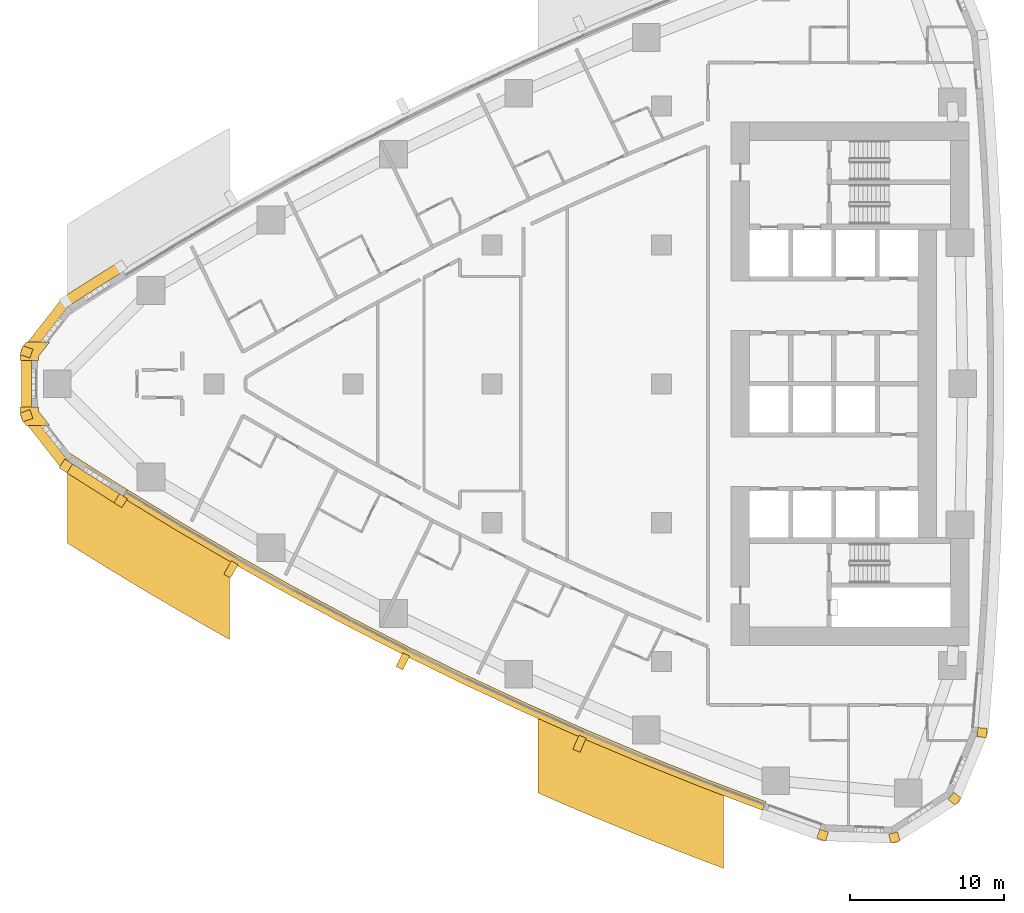
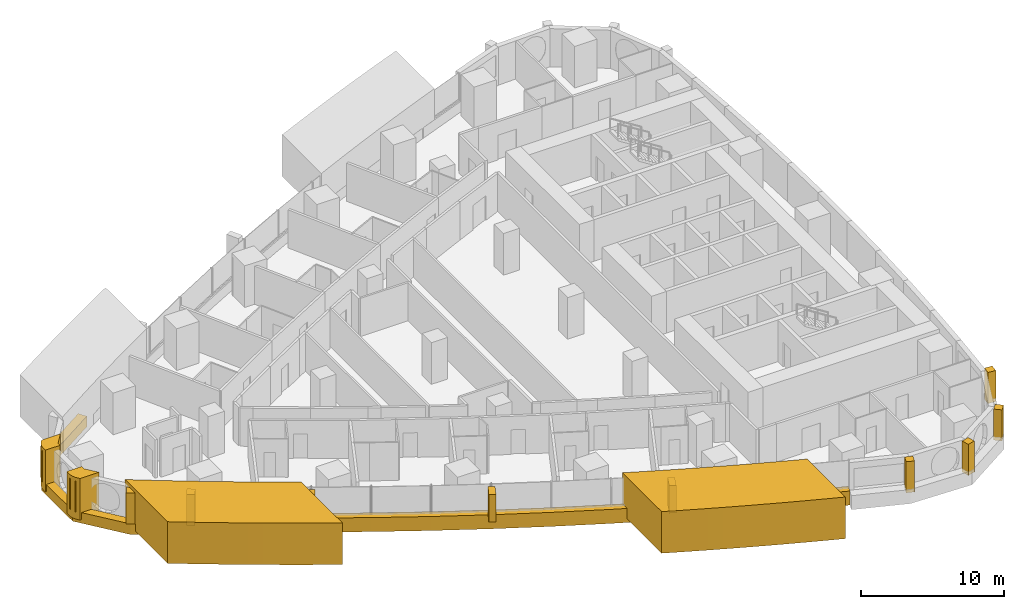
# One storey, part 15 of 19: 17 coverings.
"""IFC4 building model written with IfcOpenShell, lengths in metres."""

import ifcopenshell
import ifcopenshell.guid

model = None  # the IFC model being written
_history = None  # IfcOwnerHistory: only IFC2X3 demands one
_inside = {}  # id of a spatial element -> (the spatial element, [elements in it])
_under = {}  # id of a project, library or spatial element -> (it, [spatial elements below it])
_declared = {}  # id of a project -> (the project, [libraries it declares])
_typed = {}  # id of a type object -> (the type object, [elements of that type])
_made_of = {}  # id of a material, layer set ... -> (it, [elements and type objects made of it])


def new_model(schema):
    """Start an empty IFC model of exactly this schema.

    Asked for "IFC4X3", IfcOpenShell would pick the latest addendum, in which some entities
    have other attributes; the version numbers below select the first issue.
    IFC2X3 requires an IfcOwnerHistory on every rooted entity: one is made here for all.
    """
    global model, _history
    if schema == "IFC4X3":
        model = ifcopenshell.file(schema_version=(4, 3, 0, 0))
    else:
        model = ifcopenshell.file(schema=schema)
    _inside.clear()
    _under.clear()
    _declared.clear()
    _typed.clear()
    _made_of.clear()
    _history = None
    if model.schema == "IFC2X3":
        org = make("IfcOrganization", Name="unknown")
        user = make(
            "IfcPersonAndOrganization",
            ThePerson=make("IfcPerson", FamilyName="unknown"),
            TheOrganization=org,
        )
        app = make(
            "IfcApplication",
            ApplicationDeveloper=org,
            Version="unknown",
            ApplicationFullName="unknown",
            ApplicationIdentifier="unknown",
        )
        _history = make(
            "IfcOwnerHistory",
            OwningUser=user,
            OwningApplication=app,
            ChangeAction="ADDED",
            CreationDate=0,
        )
    return model


def make(cls, **values):
    """One entity of the class cls with the attributes given. An attribute that is None is left unset."""
    return model.create_entity(
        cls, **{name: value for name, value in values.items() if value is not None}
    )


def rooted(cls, **values):
    """An entity with a GlobalId (a new one), such as an element, a storey or a relation."""
    return make(cls, GlobalId=ifcopenshell.guid.new(), OwnerHistory=_history, **values)


def si_unit(unit_type, name, prefix=None):
    """IfcSIUnit, for example si_unit("LENGTHUNIT", "METRE", prefix="MILLI")."""
    return make("IfcSIUnit", UnitType=unit_type, Prefix=prefix, Name=name)


def assignment(units):
    """IfcUnitAssignment: the units of a project."""
    return None if units is None else make("IfcUnitAssignment", Units=units)


def point(xyz):
    """IfcCartesianPoint."""
    return None if xyz is None else make("IfcCartesianPoint", Coordinates=xyz)


def direction(xyz):
    """IfcDirection."""
    return None if xyz is None else make("IfcDirection", DirectionRatios=xyz)


def frame(location, z_axis=None, x_axis=None):
    """IfcAxis2Placement3D, a coordinate frame: its origin and axes. An axis left out is left unset."""
    return make(
        "IfcAxis2Placement3D",
        Location=point(location),
        Axis=direction(z_axis),
        RefDirection=direction(x_axis),
    )


def frame_2d(location, x_axis=None):
    """IfcAxis2Placement2D, a coordinate frame in the plane: its origin and x axis."""
    return make(
        "IfcAxis2Placement2D", Location=point(location), RefDirection=direction(x_axis)
    )


def origin():
    """The frame at (0, 0, 0) with its axes left unset."""
    return frame((0.0, 0.0, 0.0))


def place(relative_to, where):
    """IfcLocalPlacement: puts the frame where relative to a parent placement (None: the world)."""
    return make(
        "IfcLocalPlacement", PlacementRelTo=relative_to, RelativePlacement=where
    )


def context(
    kind, dimensions, precision=None, world=None, true_north=None, identifier=None
):
    """IfcGeometricRepresentationContext, for example the 3D "Model" context."""
    return make(
        "IfcGeometricRepresentationContext",
        ContextIdentifier=identifier,
        ContextType=kind,
        CoordinateSpaceDimension=dimensions,
        Precision=precision,
        WorldCoordinateSystem=world,
        TrueNorth=true_north,
    )


def subcontext(parent, identifier, kind, view, scale=None):
    """IfcGeometricRepresentationSubContext, for example "Body" below "Model"."""
    return make(
        "IfcGeometricRepresentationSubContext",
        ContextIdentifier=identifier,
        ContextType=kind,
        ParentContext=parent,
        TargetScale=scale,
        TargetView=view,
    )


def project(units=None, contexts=None):
    """IfcProject with its units and contexts."""
    return rooted(
        "IfcProject",
        Name="project",
        RepresentationContexts=contexts,
        UnitsInContext=assignment(units),
    )


def spatial(cls, under=None, at=None, **own):
    """A site, building, storey or space (cls), placed at a placement, below another one or the project."""
    s = rooted(cls, ObjectPlacement=at, **own)
    if under is not None:
        _under.setdefault(under.id(), (under, []))[1].append(s)
    return s


def polyline(points):
    """IfcPolyline through the points."""
    return make("IfcPolyline", Points=[point(p) for p in points])


def profile(cls, at=None, kind="AREA", **sizes):
    """A parametric profile (cls). Its sizes go by their IFC names, for example OverallWidth=200.0."""
    return make(cls, ProfileType=kind, Position=at, **sizes)


def rectangle(**sizes):
    """IfcRectangleProfileDef."""
    return profile("IfcRectangleProfileDef", **sizes)


def outline(outer, holes=None, kind="AREA"):
    """IfcArbitraryClosedProfileDef: a profile drawn as a closed curve; with holes, ...WithVoids."""
    if holes is None:
        return make("IfcArbitraryClosedProfileDef", ProfileType=kind, OuterCurve=outer)
    return make(
        "IfcArbitraryProfileDefWithVoids",
        ProfileType=kind,
        OuterCurve=outer,
        InnerCurves=holes,
    )


def extrude(swept, where, along, depth):
    """IfcExtrudedAreaSolid: the profile swept, set in the frame where, extruded along a direction by depth."""
    return make(
        "IfcExtrudedAreaSolid",
        SweptArea=swept,
        Position=where,
        ExtrudedDirection=direction(along),
        Depth=depth,
    )


def shape(context_of_items, identifier, shape_type, items):
    """IfcShapeRepresentation: the items that make up one representation, for example the "Body"."""
    return make(
        "IfcShapeRepresentation",
        ContextOfItems=context_of_items,
        RepresentationIdentifier=identifier,
        RepresentationType=shape_type,
        Items=items,
    )


def material(Name=None, Category=None):
    """IfcMaterial."""
    return make("IfcMaterial", Name=Name, Category=Category)


def layer(
    of_material, thickness, ventilated=None, Name=None, Category=None, Priority=None
):
    """IfcMaterialLayer: one layer of a wall or slab, of a material (None: an air gap)."""
    return make(
        "IfcMaterialLayer",
        Material=of_material,
        LayerThickness=thickness,
        IsVentilated=ventilated,
        Name=Name,
        Category=Category,
        Priority=Priority,
    )


def layer_set(layers, Name=None):
    """IfcMaterialLayerSet."""
    return make("IfcMaterialLayerSet", MaterialLayers=layers, LayerSetName=Name)


def made_of(thing, what):
    """Note that an element or type object is made of a material, layer set ...; save() writes the relation."""
    if what is not None:
        _made_of.setdefault(what.id(), (what, []))[1].append(thing)
    return thing


def type_object(cls, material=None, **own):
    """A type object (cls), such as IfcWallType, which elements share."""
    return made_of(rooted(cls, **own), material)


def element(
    cls,
    number,
    at=None,
    inside=None,
    cuts=None,
    type_object=None,
    material=None,
    context=None,
    identifier="Body",
    shape_type=None,
    held_by="IfcProductDefinitionShape",
    body=None,
    shapes=None,
    **own,
):
    """One element of the class cls, such as IfcWall. Its Tag is "e" and its number.

    at: its placement. inside: the storey or other place that contains it. cuts: it is an
    opening in that element (IfcRelVoidsElement). A single representation is given by context,
    identifier, shape_type and body (its items); several are given by shapes. held_by: the class
    of the entity that holds the representations. save() writes the other relations.
    """
    e = rooted(cls, Tag="e%d" % number, ObjectPlacement=at, **own)
    if body is not None:
        shapes = [shape(context, identifier, shape_type, body)]
    if shapes is not None:
        e.Representation = make(held_by, Representations=shapes)
    if inside is not None:
        _inside.setdefault(inside.id(), (inside, []))[1].append(e)
    if cuts is not None:
        rooted(
            "IfcRelVoidsElement", RelatingBuildingElement=cuts, RelatedOpeningElement=e
        )
    if type_object is not None:
        _typed.setdefault(type_object.id(), (type_object, []))[1].append(e)
    return made_of(e, material)


def aggregate(whole, parts):
    """IfcRelAggregates: a whole, such as a stair, and the parts it consists of."""
    return rooted("IfcRelAggregates", RelatingObject=whole, RelatedObjects=parts)


def save(model, path):
    """Write the relations noted so far, then the file.

    IfcRelAggregates (storeys below a building ...), IfcRelContainedInSpatialStructure (elements
    in a storey), IfcRelDefinesByType, IfcRelAssociatesMaterial and IfcRelDeclares: one each for
    every whole, place, type object, material and project.
    """
    for whole, parts in _under.values():
        aggregate(whole, parts)
    for where, things in _inside.values():
        rooted(
            "IfcRelContainedInSpatialStructure",
            RelatedElements=things,
            RelatingStructure=where,
        )
    for kind, things in _typed.values():
        rooted("IfcRelDefinesByType", RelatedObjects=things, RelatingType=kind)
    for what, things in _made_of.values():
        rooted("IfcRelAssociatesMaterial", RelatedObjects=things, RelatingMaterial=what)
    for by, libraries in _declared.values():
        rooted("IfcRelDeclares", RelatingContext=by, RelatedDefinitions=libraries)
    model.write(path)


model = new_model("IFC4")

# Units and contexts
model_context = context("Model", 3, precision=1e-05, world=origin(), true_north=direction((0.0, 1.0)))
body_context = subcontext(model_context, "Body", "Model", "MODEL_VIEW")
ifc_project = project(units=[si_unit("LENGTHUNIT", "METRE"), si_unit("AREAUNIT", "SQUARE_METRE"), si_unit("VOLUMEUNIT", "CUBIC_METRE"), si_unit("PLANEANGLEUNIT", "RADIAN"), si_unit("MASSUNIT", "GRAM", prefix="KILO")], contexts=[model_context])

# Site, building, storey
site_placement = place(None, origin())
site = spatial("IfcSite", under=ifc_project, at=site_placement, CompositionType="ELEMENT")
building_placement = place(site_placement, origin())
building = spatial("IfcBuilding", under=site, at=building_placement, Name="Ostrand Prow Hotel Tower", CompositionType="ELEMENT")
storey_placement = place(building_placement, frame((0.0, 0.0, 68.0)))
storey = spatial("IfcBuildingStorey", under=building, at=storey_placement, Name="L15", CompositionType="ELEMENT", Elevation=68.0)

# Coverings
ifc_material_1 = material(Name="Bronze anodised aluminium cladding", Category="aluminium")
ifc_layer_1 = layer(ifc_material_1, 0.60009765625)
ifc_layer_set_1 = layer_set([ifc_layer_1], Name="Bronze anodised aluminium cladding")
covering_type_1 = type_object("IfcCoveringType", Name="Bronze prow band 899x600", PredefinedType="CLADDING", material=ifc_layer_set_1)
covering_1_placement = place(storey_placement, frame((0.0, 0.0, -0.300048828125)))
element("IfcCovering", 1, at=covering_1_placement, inside=storey, type_object=covering_type_1, Name="Bronze prow band", PredefinedType="CLADDING", context=body_context, shape_type="SweptSolid", body=[
    extrude(outline(polyline([(9.77734375, 7.864013671875), (6.2197265625, 5.6083984375), (3.53369140625, 2.178466796875), (3.53369140625, -2.178466796875), (6.2197265625, -5.6083984375), (9.77734375, -7.864013671875), (10.13623046875, -7.286376953125), (6.589111328125, -5.03759765625), (4.176513671875, -1.95654296875), (4.176513671875, 1.95654296875), (6.589111328125, 5.03759765625), (10.13623046875, 7.286376953125), (9.77734375, 7.864013671875)])), origin(), (0.0, 0.0, 1.0), 0.900146484375),
])
ifc_material_2 = material(Name="Bronze anodised aluminium cladding", Category="aluminium")
ifc_layer_2 = layer(ifc_material_2, 0.60009765625)
ifc_layer_set_2 = layer_set([ifc_layer_2], Name="Bronze anodised aluminium cladding")
covering_type_2 = type_object("IfcCoveringType", Name="Bronze spandrel band 1200x600", PredefinedType="CLADDING", material=ifc_layer_set_2)
covering_2_placement = place(storey_placement, frame((0.0, 0.0, -0.300048828125)))
element("IfcCovering", 2, at=covering_2_placement, inside=storey, type_object=covering_type_2, Name="Spandrel band S1", PredefinedType="CLADDING", context=body_context, shape_type="SweptSolid", body=[
    extrude(outline(polyline([(10.08349609375, -7.371337890625), (13.672607421875, -9.555419921875), (17.301513671875, -11.673095703125), (20.968994140625, -13.723876953125), (24.673095703125, -15.70654296875), (28.413330078125, -17.62060546875), (32.188232421875, -19.4658203125), (35.996337890625, -21.2412109375), (39.83642578125, -22.946044921875), (43.70751953125, -24.580078125), (47.607666015625, -26.142578125), (51.5361328125, -27.6328125), (51.743896484375, -27.070068359375), (47.82568359375, -25.58349609375), (43.935791015625, -24.025146484375), (40.074951171875, -22.3955078125), (36.244873046875, -20.695068359375), (32.44677734375, -18.92431640625), (28.681884765625, -17.083984375), (24.951416015625, -15.1748046875), (21.2568359375, -13.197509765625), (17.59912109375, -11.152099609375), (13.97998046875, -9.0400390625), (10.39990234375, -6.86181640625), (10.08349609375, -7.371337890625)])), origin(), (0.0, 0.0, 1.0), 1.199951171875),
])
ifc_material_3 = material(Name="Limestone cladding", Category="masonry")
ifc_layer_3 = layer(ifc_material_3, 5.0)
ifc_layer_set_3 = layer_set([ifc_layer_3], Name="Limestone cladding")
covering_type_3 = type_object("IfcCoveringType", Name="Portal jamb pilaster limestone", PredefinedType="CLADDING", material=ifc_layer_set_3)
covering_3_placement = place(storey_placement, origin())
element("IfcCovering", 3, at=covering_3_placement, inside=storey, type_object=covering_type_3, Name="Portal jamb SA L15", PredefinedType="CLADDING", context=body_context, shape_type="SweptSolid", body=[
    extrude(outline(polyline([(6.5, -4.3837890625), (6.5, -10.319580078125), (7.45458984375, -10.917724609375), (8.4091796875, -11.509521484375), (9.363525390625, -12.09521484375), (10.318115234375, -12.67431640625), (11.272705078125, -13.247314453125), (12.227294921875, -13.81396484375), (13.181884765625, -14.37451171875), (14.136474609375, -14.92919921875), (15.0908203125, -15.4775390625), (16.04541015625, -16.020263671875), (17.0, -16.556640625), (17.0, -10.80859375), (16.04541015625, -10.25634765625), (15.0908203125, -9.697998046875), (14.136474609375, -9.13330078125), (13.181884765625, -8.562255859375), (12.227294921875, -7.98486328125), (11.272705078125, -7.401123046875), (10.318115234375, -6.810791015625), (9.363525390625, -6.214111328125), (8.4091796875, -5.610595703125), (7.45458984375, -5.00048828125), (6.5, -4.3837890625)])), origin(), (0.0, 0.0, 1.0), 3.550048828125),
])
covering_4_placement = place(storey_placement, origin())
element("IfcCovering", 4, at=covering_4_placement, inside=storey, type_object=covering_type_3, Name="Portal jamb SB L15", PredefinedType="CLADDING", context=body_context, shape_type="SweptSolid", body=[
    extrude(outline(polyline([(37.0, -21.037109375), (37.0, -26.50927734375), (38.0, -26.945556640625), (39.0, -27.376220703125), (40.0, -27.801513671875), (41.0, -28.22119140625), (42.0, -28.635498046875), (43.0, -29.044189453125), (44.0, -29.447509765625), (45.0, -29.845703125), (46.0, -30.23828125), (47.0, -30.62548828125), (48.0, -31.0078125), (49.0, -31.384521484375), (49.0, -26.03759765625), (48.0, -25.6513671875), (47.0, -25.259765625), (46.0, -24.862548828125), (45.0, -24.459716796875), (44.0, -24.051513671875), (43.0, -23.637939453125), (42.0, -23.218505859375), (41.0, -22.793701171875), (40.0, -22.363037109375), (39.0, -21.9267578125), (38.0, -21.484619140625), (37.0, -21.037109375)])), origin(), (0.0, 0.0, 1.0), 3.550048828125),
])
ifc_material_4 = material(Name="Limestone cladding", Category="masonry")
ifc_layer_4 = layer(ifc_material_4, 0.5)
ifc_layer_set_4 = layer_set([ifc_layer_4], Name="Limestone cladding")
covering_type_4 = type_object("IfcCoveringType", Name="Precast stone fin 500x900", PredefinedType="CLADDING", material=ifc_layer_set_4)
for number, where, z_axis, x_axis, name in (
    (5, (17.351318359375, -11.58642578125, 0.89990234375), (0.0, 0.0, 1.0), (-0.496138938357, -0.868243142124, 0.0), "Stone fin S 3"),
    (6, (28.458251953125, -17.53125, 0.89990234375), (0.0, 0.0, 1.0), (-0.447506538147, -0.894280659701, 0.0), "Stone fin S 6"),
    (7, (39.876220703125, -22.854248046875, 0.89990234375), (0.0, 0.0, 1.0), (-0.397216867903, -0.917724773477, 0.0), "Stone fin S 9"),
):
    element("IfcCovering", number, at=place(storey_placement, frame(where, z_axis=z_axis, x_axis=x_axis)), inside=storey, type_object=covering_type_4, Name=name, PredefinedType="CLADDING", context=body_context, shape_type="SweptSolid", body=[
        extrude(rectangle(XDim=1.0, YDim=0.5, at=frame_2d((0.5, 0.0))), origin(), (0.0, 0.0, 1.0), 2.35009765625),
    ])
ifc_material_5 = material(Name="Limestone cladding", Category="masonry")
ifc_layer_5 = layer(ifc_material_5, 0.60009765625)
ifc_layer_set_5 = layer_set([ifc_layer_5], Name="Limestone cladding")
covering_type_5 = type_object("IfcCoveringType", Name="Precast stone prow rib 600x600", PredefinedType="CLADDING", material=ifc_layer_set_5)
for number, where, z_axis, x_axis, name in (
    (8, (4.176513671875, 1.95654296875, 0.60009765625), (0.0, 0.0, 1.0), (-0.945254650653, 0.326333641262, 0.0), "Stone prow rib 3"),
    (9, (4.176513671875, -1.95654296875, 0.60009765625), (0.0, 0.0, 1.0), (-0.945254650653, -0.326333641262, 0.0), "Stone prow rib 4"),
    (10, (6.589111328125, -5.03759765625, 0.60009765625), (0.0, 0.0, 1.0), (-0.543295944087, -0.839541253983, 0.0), "Stone prow rib 5"),
    (11, (10.13623046875, -7.286376953125, 0.60009765625), (0.0, 0.0, 1.0), (-0.527738148304, -0.849407114889, 0.0), "Stone prow rib 6"),
):
    element("IfcCovering", number, at=place(storey_placement, frame(where, z_axis=z_axis, x_axis=x_axis)), inside=storey, type_object=covering_type_5, Name=name, PredefinedType="CLADDING", context=body_context, shape_type="SweptSolid", body=[
        extrude(rectangle(XDim=0.679931640625, YDim=0.60009765625, at=frame_2d((0.33984375, 0.0))), origin(), (0.0, 0.0, 1.0), 2.64990234375),
    ])
for number, where, z_axis, x_axis, name in (
    (12, (55.524169921875, -28.956298828125, 0.60009765625), (0.0, 0.0, 1.0), (-0.328773122904, -0.94440893349, 0.0), "Stone corner rib 2a"),
    (13, (59.98681640625, -29.1025390625, 0.60009765625), (0.0, 0.0, 1.0), (0.266111535611, -0.963942244439, 0.0), "Stone corner rib 3a"),
    (14, (63.74169921875, -26.6865234375, 0.60009765625), (0.0, 0.0, 1.0), (0.766985844654, -0.641664019639, 0.0), "Stone corner rib 4a"),
    (15, (65.4580078125, -22.564453125, 0.60009765625), (0.0, 0.0, 1.0), (0.995724747837, -0.09237005221, 0.0), "Stone corner rib 4b"),
):
    element("IfcCovering", number, at=place(storey_placement, frame(where, z_axis=z_axis, x_axis=x_axis)), inside=storey, type_object=covering_type_5, Name=name, PredefinedType="CLADDING", context=body_context, shape_type="SweptSolid", body=[
        extrude(rectangle(XDim=0.60009765625, YDim=0.60009765625, at=frame_2d((0.300048828125, 0.0))), origin(), (0.0, 0.0, 1.0), 2.64990234375),
    ])
ifc_material_6 = material(Name="Limestone cladding", Category="masonry")
ifc_layer_6 = layer(ifc_material_6, 3.0)
ifc_layer_set_6 = layer_set([ifc_layer_6], Name="Limestone cladding")
covering_type_6 = type_object("IfcCoveringType", Name="Prow nose pier limestone", PredefinedType="CLADDING", material=ifc_layer_set_6)
covering_5_placement = place(storey_placement, origin())
element("IfcCovering", 16, at=covering_5_placement, inside=storey, type_object=covering_type_6, Name="Prow spine fin N L15", PredefinedType="CLADDING", context=body_context, shape_type="SweptSolid", body=[
    extrude(outline(polyline([(3.44921875, 1.793701171875), (3.44921875, 1.5), (4.649169921875, 1.5), (4.649169921875, 1.793701171875), (5.35888671875, 2.699951171875), (3.834716796875, 2.699951171875), (3.704345703125, 2.533447265625), (3.638427734375, 2.440673828125), (3.581787109375, 2.341796875), (3.53466796875, 2.23828125), (3.49755859375, 2.130615234375), (3.470703125, 2.02001953125), (3.45458984375, 1.9072265625), (3.44921875, 1.793701171875)])), origin(), (0.0, 0.0, 1.0), 3.550048828125),
])
covering_6_placement = place(storey_placement, origin())
element("IfcCovering", 17, at=covering_6_placement, inside=storey, type_object=covering_type_6, Name="Prow spine fin S L15", PredefinedType="CLADDING", context=body_context, shape_type="SweptSolid", body=[
    extrude(outline(polyline([(3.704345703125, -2.533447265625), (3.834716796875, -2.699951171875), (5.35888671875, -2.699951171875), (4.649169921875, -1.793701171875), (4.649169921875, -1.5), (3.44921875, -1.5), (3.44921875, -1.793701171875), (3.45458984375, -1.9072265625), (3.470703125, -2.02001953125), (3.49755859375, -2.130615234375), (3.53466796875, -2.23828125), (3.581787109375, -2.341796875), (3.638427734375, -2.440673828125), (3.704345703125, -2.533447265625)])), origin(), (0.0, 0.0, 1.0), 3.550048828125),
])

save(model, "model.ifc")
